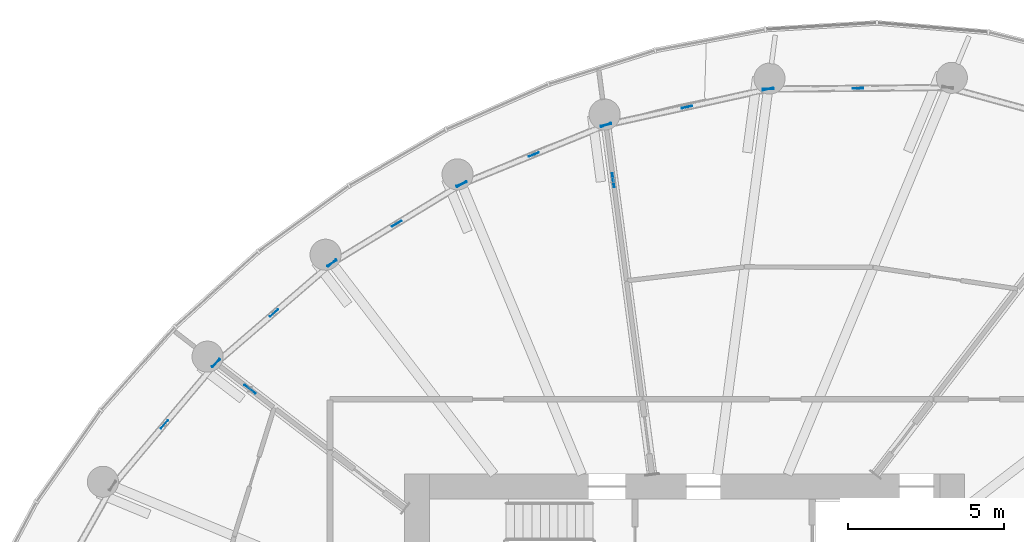
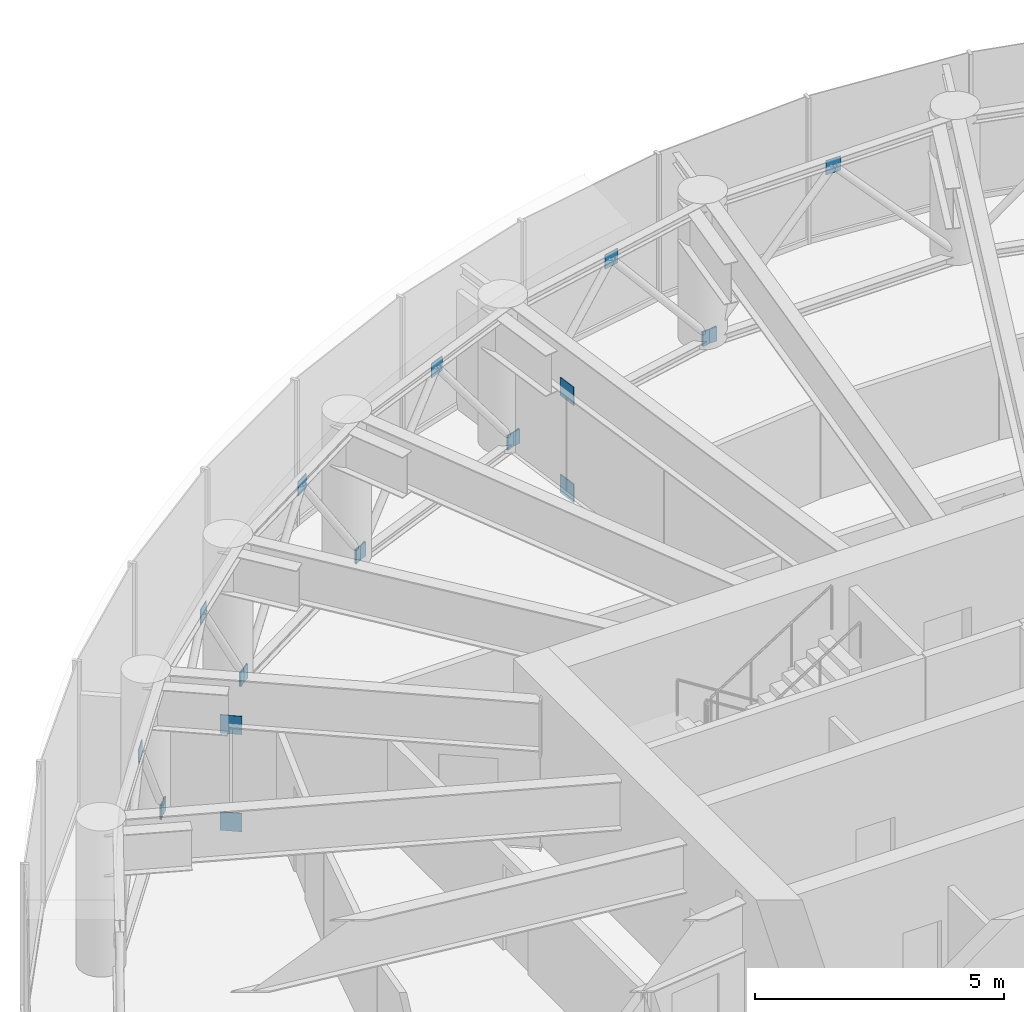
# One storey, part 21 of 25: 20 discrete accessories.
"""IFC4 building model written with IfcOpenShell, lengths in metres."""

from ifc_helpers import new_model, si_unit, direction, frame, origin, origin_2d, place, context, subcontext, project, spatial, rectangle, extrude, source, transform, mapped, material, layer, layer_set, type_object, element, save


model = new_model("IFC4")

# Units and contexts
model_context = context("Model", 3, precision=1e-05, world=origin(), true_north=direction((0.0, 1.0)))
body_context = subcontext(model_context, "Body", "Model", "MODEL_VIEW")
ifc_project = project(units=[si_unit("LENGTHUNIT", "METRE"), si_unit("AREAUNIT", "SQUARE_METRE"), si_unit("VOLUMEUNIT", "CUBIC_METRE"), si_unit("PLANEANGLEUNIT", "RADIAN"), si_unit("MASSUNIT", "GRAM", prefix="KILO")], contexts=[model_context])

# Site, building, storey
site_placement = place(None, origin())
site = spatial("IfcSite", under=ifc_project, at=site_placement, CompositionType="ELEMENT")
building_placement = place(site_placement, origin())
building = spatial("IfcBuilding", under=site, at=building_placement, Name="Spindrift Exchange Tower", CompositionType="ELEMENT")
storey_placement = place(building_placement, frame((0.0, 0.0, 179.89990234375)))
storey = spatial("IfcBuildingStorey", under=building, at=storey_placement, Name="L43", CompositionType="ELEMENT", Elevation=179.89990234375)

# Discrete accessories
ifc_material = material(Name="Steel Grade 350", Category="steel")
ifc_layer_1 = layer(ifc_material, 0.02490234375)
ifc_layer_set_1 = layer_set([ifc_layer_1], Name="Gusset plate 450x450x25 Steel Grade 350")
discrete_accessory_type_1 = type_object("IfcDiscreteAccessoryType", Name="Gusset plate 450x450x25 Steel Grade 350", PredefinedType="USERDEFINED", material=ifc_layer_set_1)
shared_shape_1 = source(origin(), body_context, "Body", "SweptSolid", [
    extrude(rectangle(XDim=0.449951171875, YDim=0.02490234375, at=origin_2d()), origin(), (0.0, 0.0, 1.0), 0.449951171875),
])
for number, where, z_axis, x_axis, name in (
    (1, (49.70361328125, 65.4423828125, -0.22509765625), (0.0, 0.0, 1.0), (-0.13052619222, 0.991444861374, 0.0), "L43 gusset plate GP1 07"),
    (2, (49.70361328125, 65.4423828125, 2.1552734375), (0.0, 0.0, 1.0), (-0.13052619222, 0.991444861374, 0.0), "L43 gusset plate GP1 07"),
    (3, (38.029052734375, 58.72021484375, -0.22509765625), (0.0, 0.0, 1.0), (-0.793353340291, 0.608761429009, 0.0), "L43 gusset plate GP1 10"),
    (4, (38.029052734375, 58.72021484375, 2.1552734375), (0.0, 0.0, 1.0), (-0.793353340291, 0.608761429009, 0.0), "L43 gusset plate GP1 10"),
):
    element("IfcDiscreteAccessory", number, at=place(storey_placement, frame(where, z_axis=z_axis, x_axis=x_axis)), inside=storey, type_object=discrete_accessory_type_1, Name=name, ObjectType="Gusset plate", PredefinedType="USERDEFINED", context=body_context, shape_type="MappedRepresentation", body=[
        mapped(shared_shape_1, transform((0.0, 0.0, 0.0), scale=1.0)),
    ])
ifc_layer_2 = layer(ifc_material, 0.02001953125)
ifc_layer_set_2 = layer_set([ifc_layer_2], Name="Gusset plate 350x350x20 Steel Grade 350")
discrete_accessory_type_2 = type_object("IfcDiscreteAccessoryType", Name="Gusset plate 350x350x20 Steel Grade 350", PredefinedType="USERDEFINED", material=ifc_layer_set_2)
shared_shape_2 = source(origin(), body_context, "Body", "SweptSolid", [
    extrude(rectangle(XDim=0.35009765625, YDim=0.02001953125, at=origin_2d()), origin(), (0.0, 0.0, 1.0), 0.35009765625),
])
for number, where, z_axis, x_axis, name in (
    (5, (57.569091796875, 68.392578125, 3.195068359375), (0.0, 0.0, 1.0), (-0.999964600556, -0.008414133037, 0.0), "L43 gusset plate GP2 05"),
    (6, (54.681396484375, 68.3681640625, 0.03515625), (0.0, 0.0, 1.0), (-0.999964600556, -0.008414133037, 0.0), "L43 gusset plate GP2 05"),
    (7, (54.681396484375, 68.3681640625, 0.03515625), (0.0, 0.0, 1.0), (-0.97634546795, -0.216216389787, 0.0), "L43 gusset plate GP2 06"),
    (8, (52.075927734375, 67.791259765625, 3.195068359375), (0.0, 0.0, 1.0), (-0.97634546795, -0.216216389787, 0.0), "L43 gusset plate GP2 06"),
    (9, (49.470458984375, 67.214111328125, 0.03515625), (0.0, 0.0, 1.0), (-0.976347354757, -0.216207869558, 0.0), "L43 gusset plate GP2 06"),
    (10, (49.470458984375, 67.214111328125, 0.03515625), (0.0, 0.0, 1.0), (-0.925272621882, -0.379302748733, 0.0), "L43 gusset plate GP2 07"),
    (11, (47.14990234375, 66.262939453125, 3.195068359375), (0.0, 0.0, 1.0), (-0.925272621882, -0.379302748733, 0.0), "L43 gusset plate GP2 07"),
    (12, (44.829345703125, 65.311767578125, 0.03515625), (0.0, 0.0, 1.0), (-0.925280565777, -0.379283369785, 0.0), "L43 gusset plate GP2 07"),
    (13, (44.829345703125, 65.311767578125, 0.03515625), (0.0, 0.0, 1.0), (-0.854103191274, -0.520103584544, 0.0), "L43 gusset plate GP2 08"),
    (14, (42.74609375, 64.043212890625, 3.195068359375), (0.0, 0.0, 1.0), (-0.854103191274, -0.520103584544, 0.0), "L43 gusset plate GP2 08"),
    (15, (40.6630859375, 62.774658203125, 0.03515625), (0.0, 0.0, 1.0), (-0.854103191274, -0.520103584544, 0.0), "L43 gusset plate GP2 08"),
    (16, (40.6630859375, 62.774658203125, 0.03515625), (0.0, 0.0, 1.0), (-0.757547894914, -0.652779585244, 0.0), "L43 gusset plate GP2 09"),
    (17, (38.79833984375, 61.167724609375, 3.195068359375), (0.0, 0.0, 1.0), (-0.757547894914, -0.652779585244, 0.0), "L43 gusset plate GP2 09"),
    (18, (36.933349609375, 59.56103515625, 0.03515625), (0.0, 0.0, 1.0), (-0.757585491063, -0.652735952535, 0.0), "L43 gusset plate GP2 09"),
    (19, (36.933349609375, 59.56103515625, 0.03515625), (0.0, 0.0, 1.0), (-0.643680288471, -0.765294509476, 0.0), "L43 gusset plate GP2 10"),
    (20, (35.274169921875, 57.588134765625, 3.195068359375), (0.0, 0.0, 1.0), (-0.643680288471, -0.765294509476, 0.0), "L43 gusset plate GP2 10"),
):
    element("IfcDiscreteAccessory", number, at=place(storey_placement, frame(where, z_axis=z_axis, x_axis=x_axis)), inside=storey, type_object=discrete_accessory_type_2, Name=name, ObjectType="Gusset plate", PredefinedType="USERDEFINED", context=body_context, shape_type="MappedRepresentation", body=[
        mapped(shared_shape_2, transform((0.0, 0.0, 0.0), scale=1.0)),
    ])

save(model, "model.ifc")
